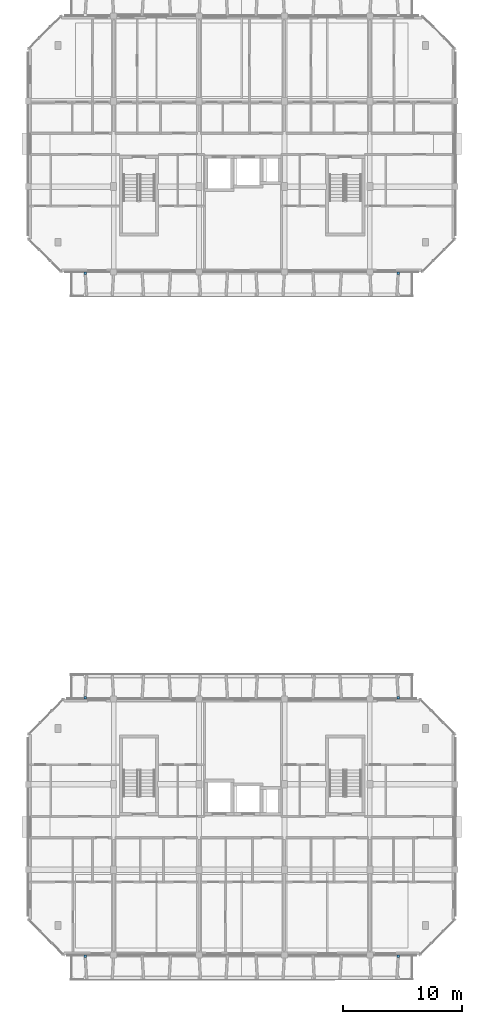
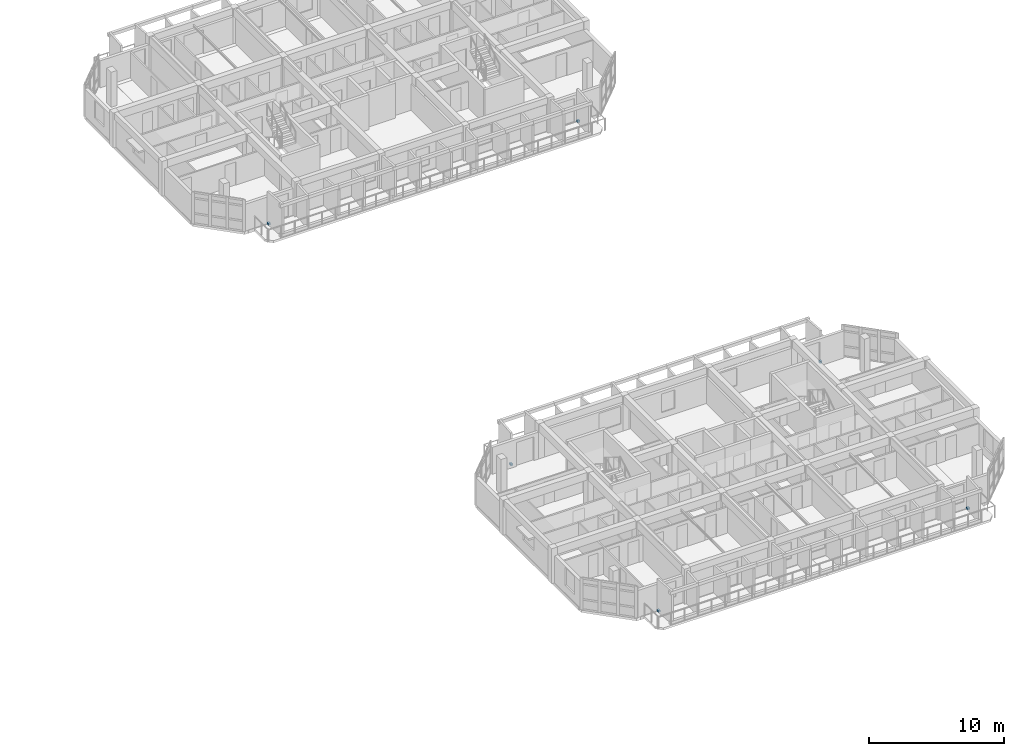
# One storey, part 31 of 40: 6 discrete accessories.
"""IFC4 building model written with IfcOpenShell, lengths in metres."""

import ifcopenshell
import ifcopenshell.guid

model = None  # the IFC model being written
_history = None  # IfcOwnerHistory: only IFC2X3 demands one
_inside = {}  # id of a spatial element -> (the spatial element, [elements in it])
_under = {}  # id of a project, library or spatial element -> (it, [spatial elements below it])
_declared = {}  # id of a project -> (the project, [libraries it declares])
_typed = {}  # id of a type object -> (the type object, [elements of that type])
_made_of = {}  # id of a material, layer set ... -> (it, [elements and type objects made of it])


def new_model(schema):
    """Start an empty IFC model of exactly this schema.

    Asked for "IFC4X3", IfcOpenShell would pick the latest addendum, in which some entities
    have other attributes; the version numbers below select the first issue.
    IFC2X3 requires an IfcOwnerHistory on every rooted entity: one is made here for all.
    """
    global model, _history
    if schema == "IFC4X3":
        model = ifcopenshell.file(schema_version=(4, 3, 0, 0))
    else:
        model = ifcopenshell.file(schema=schema)
    _inside.clear()
    _under.clear()
    _declared.clear()
    _typed.clear()
    _made_of.clear()
    _history = None
    if model.schema == "IFC2X3":
        org = make("IfcOrganization", Name="unknown")
        user = make(
            "IfcPersonAndOrganization",
            ThePerson=make("IfcPerson", FamilyName="unknown"),
            TheOrganization=org,
        )
        app = make(
            "IfcApplication",
            ApplicationDeveloper=org,
            Version="unknown",
            ApplicationFullName="unknown",
            ApplicationIdentifier="unknown",
        )
        _history = make(
            "IfcOwnerHistory",
            OwningUser=user,
            OwningApplication=app,
            ChangeAction="ADDED",
            CreationDate=0,
        )
    return model


def make(cls, **values):
    """One entity of the class cls with the attributes given. An attribute that is None is left unset."""
    return model.create_entity(
        cls, **{name: value for name, value in values.items() if value is not None}
    )


def rooted(cls, **values):
    """An entity with a GlobalId (a new one), such as an element, a storey or a relation."""
    return make(cls, GlobalId=ifcopenshell.guid.new(), OwnerHistory=_history, **values)


def si_unit(unit_type, name, prefix=None):
    """IfcSIUnit, for example si_unit("LENGTHUNIT", "METRE", prefix="MILLI")."""
    return make("IfcSIUnit", UnitType=unit_type, Prefix=prefix, Name=name)


def assignment(units):
    """IfcUnitAssignment: the units of a project."""
    return None if units is None else make("IfcUnitAssignment", Units=units)


def point(xyz):
    """IfcCartesianPoint."""
    return None if xyz is None else make("IfcCartesianPoint", Coordinates=xyz)


def direction(xyz):
    """IfcDirection."""
    return None if xyz is None else make("IfcDirection", DirectionRatios=xyz)


def frame(location, z_axis=None, x_axis=None):
    """IfcAxis2Placement3D, a coordinate frame: its origin and axes. An axis left out is left unset."""
    return make(
        "IfcAxis2Placement3D",
        Location=point(location),
        Axis=direction(z_axis),
        RefDirection=direction(x_axis),
    )


def frame_2d(location, x_axis=None):
    """IfcAxis2Placement2D, a coordinate frame in the plane: its origin and x axis."""
    return make(
        "IfcAxis2Placement2D", Location=point(location), RefDirection=direction(x_axis)
    )


def origin():
    """The frame at (0, 0, 0) with its axes left unset."""
    return frame((0.0, 0.0, 0.0))


def origin_2d():
    """The frame at (0, 0) in the plane with its x axis left unset."""
    return frame_2d((0.0, 0.0))


def place(relative_to, where):
    """IfcLocalPlacement: puts the frame where relative to a parent placement (None: the world)."""
    return make(
        "IfcLocalPlacement", PlacementRelTo=relative_to, RelativePlacement=where
    )


def context(
    kind, dimensions, precision=None, world=None, true_north=None, identifier=None
):
    """IfcGeometricRepresentationContext, for example the 3D "Model" context."""
    return make(
        "IfcGeometricRepresentationContext",
        ContextIdentifier=identifier,
        ContextType=kind,
        CoordinateSpaceDimension=dimensions,
        Precision=precision,
        WorldCoordinateSystem=world,
        TrueNorth=true_north,
    )


def subcontext(parent, identifier, kind, view, scale=None):
    """IfcGeometricRepresentationSubContext, for example "Body" below "Model"."""
    return make(
        "IfcGeometricRepresentationSubContext",
        ContextIdentifier=identifier,
        ContextType=kind,
        ParentContext=parent,
        TargetScale=scale,
        TargetView=view,
    )


def project(units=None, contexts=None):
    """IfcProject with its units and contexts."""
    return rooted(
        "IfcProject",
        Name="project",
        RepresentationContexts=contexts,
        UnitsInContext=assignment(units),
    )


def spatial(cls, under=None, at=None, **own):
    """A site, building, storey or space (cls), placed at a placement, below another one or the project."""
    s = rooted(cls, ObjectPlacement=at, **own)
    if under is not None:
        _under.setdefault(under.id(), (under, []))[1].append(s)
    return s


def profile(cls, at=None, kind="AREA", **sizes):
    """A parametric profile (cls). Its sizes go by their IFC names, for example OverallWidth=200.0."""
    return make(cls, ProfileType=kind, Position=at, **sizes)


def rectangle(**sizes):
    """IfcRectangleProfileDef."""
    return profile("IfcRectangleProfileDef", **sizes)


def extrude(swept, where, along, depth):
    """IfcExtrudedAreaSolid: the profile swept, set in the frame where, extruded along a direction by depth."""
    return make(
        "IfcExtrudedAreaSolid",
        SweptArea=swept,
        Position=where,
        ExtrudedDirection=direction(along),
        Depth=depth,
    )


def shape(context_of_items, identifier, shape_type, items):
    """IfcShapeRepresentation: the items that make up one representation, for example the "Body"."""
    return make(
        "IfcShapeRepresentation",
        ContextOfItems=context_of_items,
        RepresentationIdentifier=identifier,
        RepresentationType=shape_type,
        Items=items,
    )


def material(Name=None, Category=None):
    """IfcMaterial."""
    return make("IfcMaterial", Name=Name, Category=Category)


def made_of(thing, what):
    """Note that an element or type object is made of a material, layer set ...; save() writes the relation."""
    if what is not None:
        _made_of.setdefault(what.id(), (what, []))[1].append(thing)
    return thing


def type_object(cls, material=None, **own):
    """A type object (cls), such as IfcWallType, which elements share."""
    return made_of(rooted(cls, **own), material)


def element(
    cls,
    number,
    at=None,
    inside=None,
    cuts=None,
    type_object=None,
    material=None,
    context=None,
    identifier="Body",
    shape_type=None,
    held_by="IfcProductDefinitionShape",
    body=None,
    shapes=None,
    **own,
):
    """One element of the class cls, such as IfcWall. Its Tag is "e" and its number.

    at: its placement. inside: the storey or other place that contains it. cuts: it is an
    opening in that element (IfcRelVoidsElement). A single representation is given by context,
    identifier, shape_type and body (its items); several are given by shapes. held_by: the class
    of the entity that holds the representations. save() writes the other relations.
    """
    e = rooted(cls, Tag="e%d" % number, ObjectPlacement=at, **own)
    if body is not None:
        shapes = [shape(context, identifier, shape_type, body)]
    if shapes is not None:
        e.Representation = make(held_by, Representations=shapes)
    if inside is not None:
        _inside.setdefault(inside.id(), (inside, []))[1].append(e)
    if cuts is not None:
        rooted(
            "IfcRelVoidsElement", RelatingBuildingElement=cuts, RelatedOpeningElement=e
        )
    if type_object is not None:
        _typed.setdefault(type_object.id(), (type_object, []))[1].append(e)
    return made_of(e, material)


def aggregate(whole, parts):
    """IfcRelAggregates: a whole, such as a stair, and the parts it consists of."""
    return rooted("IfcRelAggregates", RelatingObject=whole, RelatedObjects=parts)


def save(model, path):
    """Write the relations noted so far, then the file.

    IfcRelAggregates (storeys below a building ...), IfcRelContainedInSpatialStructure (elements
    in a storey), IfcRelDefinesByType, IfcRelAssociatesMaterial and IfcRelDeclares: one each for
    every whole, place, type object, material and project.
    """
    for whole, parts in _under.values():
        aggregate(whole, parts)
    for where, things in _inside.values():
        rooted(
            "IfcRelContainedInSpatialStructure",
            RelatedElements=things,
            RelatingStructure=where,
        )
    for kind, things in _typed.values():
        rooted("IfcRelDefinesByType", RelatedObjects=things, RelatingType=kind)
    for what, things in _made_of.values():
        rooted("IfcRelAssociatesMaterial", RelatedObjects=things, RelatingMaterial=what)
    for by, libraries in _declared.values():
        rooted("IfcRelDeclares", RelatingContext=by, RelatedDefinitions=libraries)
    model.write(path)


model = new_model("IFC4")

# Units and contexts
model_context = context("Model", 3, precision=1e-05, world=origin(), true_north=direction((0.0, 1.0)))
body_context = subcontext(model_context, "Body", "Model", "MODEL_VIEW")
ifc_project = project(units=[si_unit("LENGTHUNIT", "METRE"), si_unit("AREAUNIT", "SQUARE_METRE"), si_unit("VOLUMEUNIT", "CUBIC_METRE"), si_unit("PLANEANGLEUNIT", "RADIAN"), si_unit("MASSUNIT", "GRAM", prefix="KILO")], contexts=[model_context])

# Site, building, storey
site_placement = place(None, origin())
site = spatial("IfcSite", under=ifc_project, at=site_placement, CompositionType="ELEMENT")
building_placement = place(site_placement, origin())
building = spatial("IfcBuilding", under=site, at=building_placement, Name="Ochrevale Crest", CompositionType="ELEMENT")
storey_placement = place(building_placement, frame((0.0, 0.0, 27.60009765625)))
storey = spatial("IfcBuildingStorey", under=building, at=storey_placement, Name="L08", CompositionType="ELEMENT", Elevation=27.60009765625)

# Discrete accessories
ifc_material = material(Name="Galvanised steel", Category="steel")
discrete_accessory_type = type_object("IfcDiscreteAccessoryType", Name="ACC-BRK-HC", PredefinedType="BRACKET", material=ifc_material)
for number, where, z_axis, x_axis, name in (
    (1, (134.39990234375, 14.300048828125, 0.0), (0.0, 0.0, 1.0), (1.0, 0.0, 0.0), "Block C L08 precast loggia corbel bracket"),
    (2, (160.800048828125, 14.300048828125, 0.0), (0.0, 0.0, 1.0), (1.0, 0.0, 0.0), "Block C L08 precast loggia corbel bracket"),
    (3, (134.39990234375, 36.10009765625, 0.0), (0.0, 0.0, 1.0), (1.0, 0.0, 0.0), "Block C L08 precast loggia corbel bracket"),
    (4, (160.800048828125, 36.10009765625, 0.0), (0.0, 0.0, 1.0), (1.0, 0.0, 0.0), "Block C L08 precast loggia corbel bracket"),
    (5, (134.39990234375, 71.89990234375, 0.0), (0.0, 0.0, 1.0), (1.0, 0.0, 0.0), "Block D L08 precast loggia corbel bracket"),
    (6, (160.800048828125, 71.89990234375, 0.0), (0.0, 0.0, 1.0), (1.0, 0.0, 0.0), "Block D L08 precast loggia corbel bracket"),
):
    element("IfcDiscreteAccessory", number, at=place(storey_placement, frame(where, z_axis=z_axis, x_axis=x_axis)), inside=storey, type_object=discrete_accessory_type, Name=name, PredefinedType="BRACKET", context=body_context, shape_type="SweptSolid", body=[
        extrude(rectangle(XDim=0.179931640625, YDim=0.219970703125, at=origin_2d()), origin(), (0.0, 0.0, 1.0), 0.179931640625),
    ])

save(model, "model.ifc")
